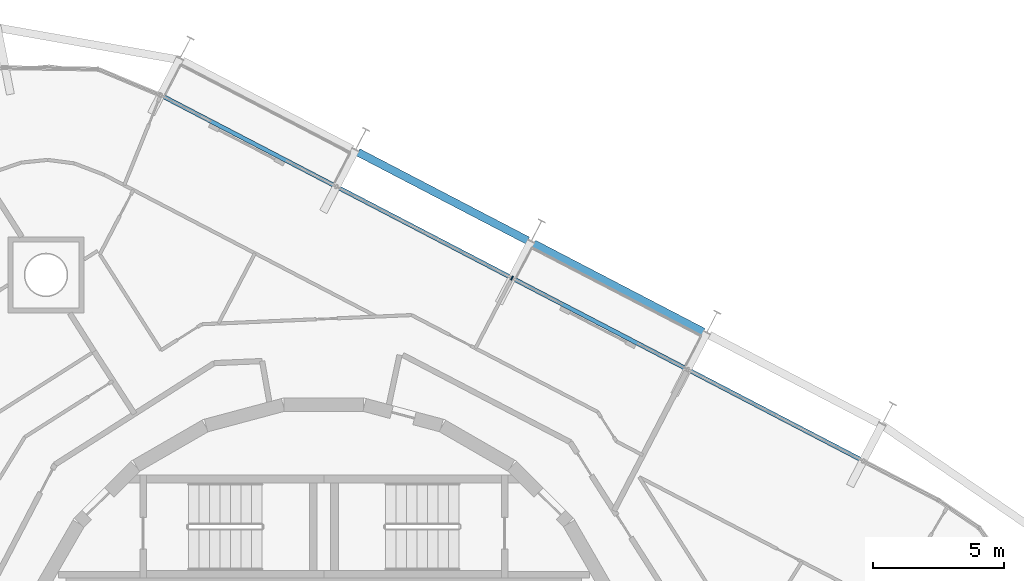
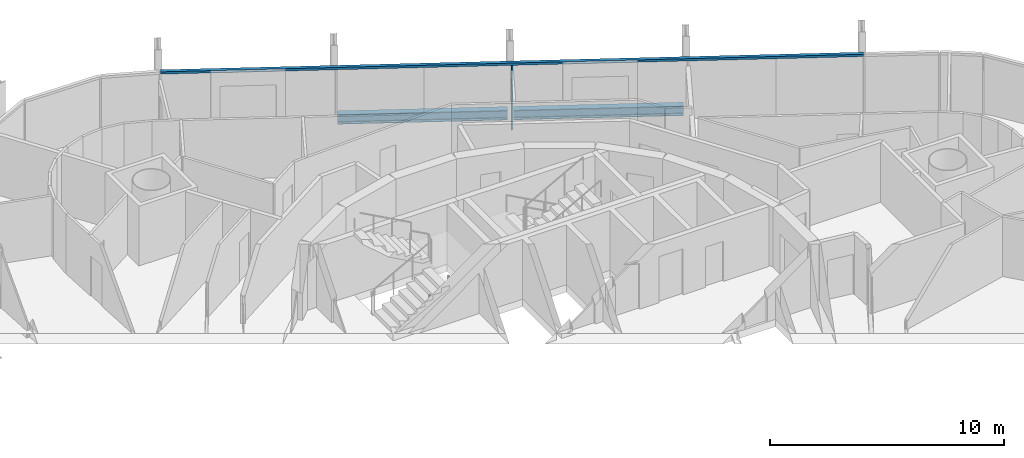
# One storey, part 7 of 18: 2 beams, 2 members, 1 element without a shape of its own.
"""IFC4 building model written with IfcOpenShell, lengths in metres."""

from ifc_helpers import new_model, si_unit, direction, frame, origin, origin_2d, place, context, subcontext, project, spatial, rectangle, i_section, extrude, material, layer, layer_set, material_profile, profile_set, type_object, element, aggregate, save


model = new_model("IFC4")

# Units and contexts
model_context = context("Model", 3, precision=1e-05, world=origin(), true_north=direction((0.0, 1.0)))
body_context = subcontext(model_context, "Body", "Model", "MODEL_VIEW")
ifc_project = project(units=[si_unit("LENGTHUNIT", "METRE"), si_unit("AREAUNIT", "SQUARE_METRE"), si_unit("VOLUMEUNIT", "CUBIC_METRE"), si_unit("PLANEANGLEUNIT", "RADIAN"), si_unit("MASSUNIT", "GRAM", prefix="KILO")], contexts=[model_context])

# Site, building, storey
site_placement = place(None, origin())
site = spatial("IfcSite", under=ifc_project, at=site_placement, CompositionType="ELEMENT")
building_placement = place(site_placement, origin())
building = spatial("IfcBuilding", under=site, at=building_placement, Name="Spindle Arch Residences", CompositionType="ELEMENT")
storey_placement = place(building_placement, frame((0.0, 0.0, 233.699951171875)))
storey = spatial("IfcBuildingStorey", under=building, at=storey_placement, Name="L59", CompositionType="ELEMENT", Elevation=233.699951171875)

# Curtain wall, members
ifc_material_1 = material(Name="Aluminium bronze unitised frame with tinted glass", Category="aluminium")
ifc_layer = layer(ifc_material_1, 0.159912109375)
ifc_layer_set = layer_set([ifc_layer], Name="CW-C typical residential unitised wall")
curtain_wall_type = type_object("IfcCurtainWallType", Name="CW-C typical residential unitised wall", PredefinedType="NOTDEFINED", material=ifc_layer_set)
curtain_wall_placement = place(storey_placement, origin())
curtain_wall = element("IfcCurtainWall", 1, at=curtain_wall_placement, inside=storey, type_object=curtain_wall_type, Name="CW-C L59 run 2", PredefinedType="NOTDEFINED")
ifc_material_2 = material(Name="Aluminium bronze anodised mullion", Category="aluminium")
ifc_material_profile_1 = material_profile(ifc_material_2, rectangle(XDim=0.159912109375, YDim=0.06005859375, at=origin_2d()), Name="MU 60x160")
ifc_profile_set_1 = profile_set([ifc_material_profile_1], Name="Aluminium bronze anodised mullion")
member_type_1 = type_object("IfcMemberType", Name="Bronze mullion 60x160", PredefinedType="MULLION", material=ifc_profile_set_1)
member_1_placement = place(storey_placement, frame((7.15869140625, 16.4697265625, -0.3798828125), z_axis=(0.0, 0.0, 1.0), x_axis=(-0.461748613235, -0.887010833178, 0.0)))
member_1 = element("IfcMember", 2, at=member_1_placement, type_object=member_type_1, Name="CW-C mullion 07", PredefinedType="MULLION", context=body_context, shape_type="SweptSolid", body=[
    extrude(rectangle(XDim=0.159912109375, YDim=0.06005859375, at=origin_2d()), origin(), (0.0, 0.0, 1.0), 3.3798828125),
])
ifc_material_3 = material(Name="Aluminium bronze anodised transom", Category="aluminium")
ifc_material_profile_2 = material_profile(ifc_material_3, rectangle(XDim=0.159912109375, YDim=0.1201171875, at=origin_2d()), Name="TR 120x160")
ifc_profile_set_2 = profile_set([ifc_material_profile_2], Name="Aluminium bronze anodised transom")
member_type_2 = type_object("IfcMemberType", Name="Bronze transom 120x160", PredefinedType="USERDEFINED", material=ifc_profile_set_2)
member_2_placement = place(storey_placement, frame((20.49072265625, 9.529541015625, 3.06005859375), z_axis=(-0.887009936453, 0.461750335825, 0.0), x_axis=(-0.461750335825, -0.887009936453, 0.0)))
member_2 = element("IfcMember", 3, at=member_2_placement, type_object=member_type_2, Name="CW-C transom 00", ObjectType="TRANSOM", PredefinedType="USERDEFINED", context=body_context, shape_type="SweptSolid", body=[
    extrude(rectangle(XDim=0.159912109375, YDim=0.1201171875, at=origin_2d()), origin(), (0.0, 0.0, 1.0), 30.060302734375),
])
aggregate(curtain_wall, [member_2, member_1])

# Beams
ifc_material_4 = material(Name="Steel S460ML, intumescent coating R 120", Category="steel")
ifc_material_profile_3 = material_profile(ifc_material_4, i_section(OverallWidth=0.300048828125, OverallDepth=0.5, WebThickness=0.014404296875, FlangeThickness=0.028076171875, FilletRadius=0.027099609375, at=origin_2d()), Name="HEB 500")
ifc_profile_set_3 = profile_set([ifc_material_profile_3], Name="Steel S460ML, intumescent coating R 120")
beam_type = type_object("IfcBeamType", Name="Exoskeleton edge beam HEB 500", PredefinedType="BEAM", material=ifc_profile_set_3)
for number, where, z_axis, x_axis, name in (
    (4, (14.43359375, 14.418701171875, -0.6298828125), (-0.887007222688, 0.461755548857, 0.0), (-0.461755548857, -0.887007222688, 0.0), "Exoskeleton edge beam 7"),
    (5, (7.75439453125, 17.895751953125, -0.6298828125), (-0.887007222688, 0.461755548857, 0.0), (-0.461755548857, -0.887007222688, 0.0), "Exoskeleton edge beam 8"),
):
    element("IfcBeam", number, at=place(storey_placement, frame(where, z_axis=z_axis, x_axis=x_axis)), inside=storey, type_object=beam_type, Name=name, PredefinedType="BEAM", context=body_context, shape_type="SweptSolid", body=[
        extrude(i_section(OverallWidth=0.300048828125, OverallDepth=0.5, WebThickness=0.014404296875, FlangeThickness=0.028076171875, FilletRadius=0.027099609375, at=origin_2d()), origin(), (0.0, 0.0, 1.0), 7.27001953125),
    ])

save(model, "model.ifc")
